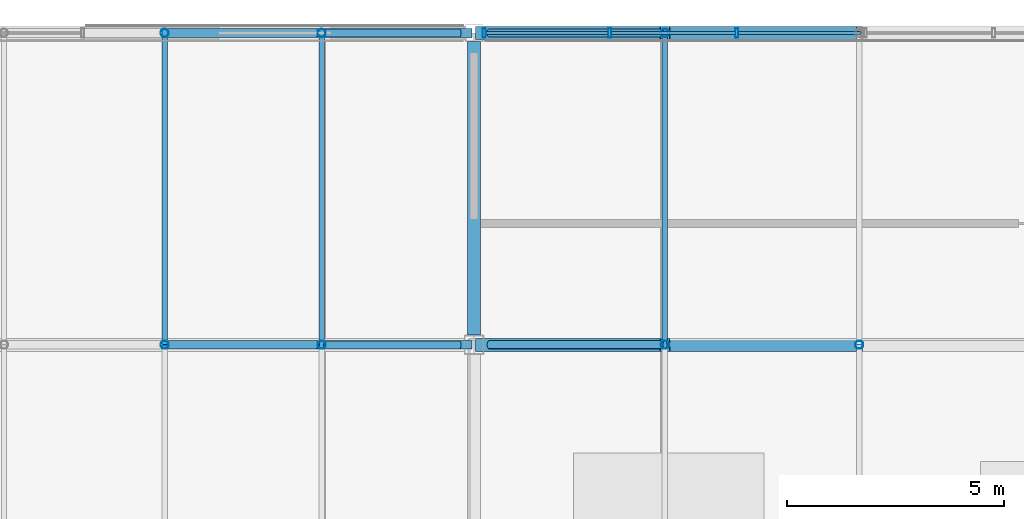
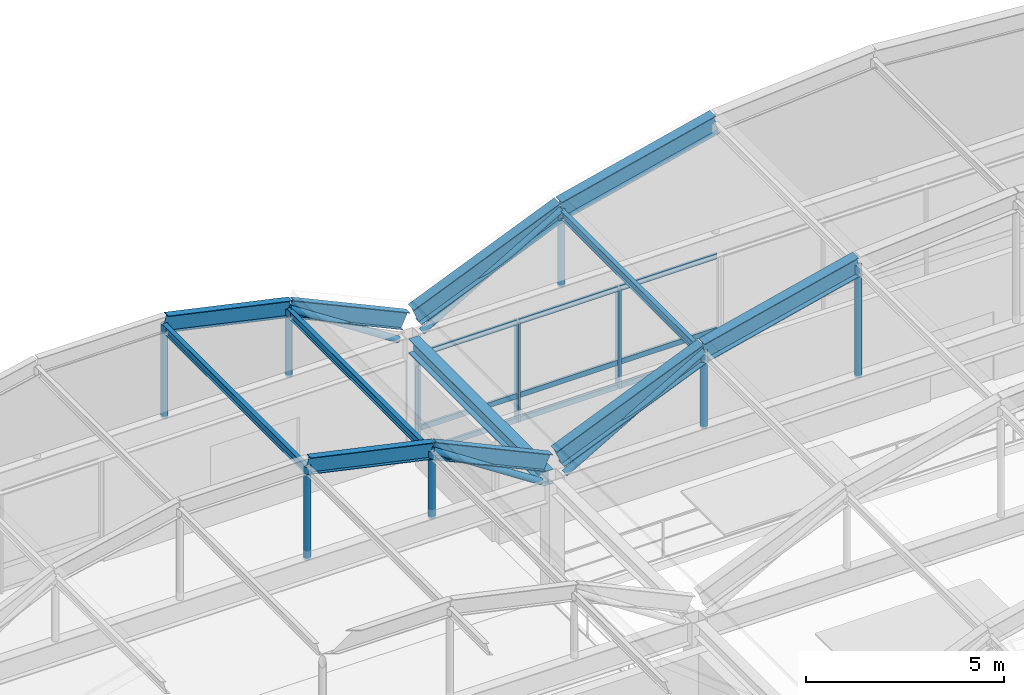
# One storey, part 61 of 106: 34 members, 1 beam, 1 element without a shape of its own.
"""IFC4 building model written with IfcOpenShell, lengths in metres."""

import ifcopenshell
import ifcopenshell.guid

model = None  # the IFC model being written
_history = None  # IfcOwnerHistory: only IFC2X3 demands one
_inside = {}  # id of a spatial element -> (the spatial element, [elements in it])
_under = {}  # id of a project, library or spatial element -> (it, [spatial elements below it])
_declared = {}  # id of a project -> (the project, [libraries it declares])
_typed = {}  # id of a type object -> (the type object, [elements of that type])
_made_of = {}  # id of a material, layer set ... -> (it, [elements and type objects made of it])


def new_model(schema):
    """Start an empty IFC model of exactly this schema.

    Asked for "IFC4X3", IfcOpenShell would pick the latest addendum, in which some entities
    have other attributes; the version numbers below select the first issue.
    IFC2X3 requires an IfcOwnerHistory on every rooted entity: one is made here for all.
    """
    global model, _history
    if schema == "IFC4X3":
        model = ifcopenshell.file(schema_version=(4, 3, 0, 0))
    else:
        model = ifcopenshell.file(schema=schema)
    _inside.clear()
    _under.clear()
    _declared.clear()
    _typed.clear()
    _made_of.clear()
    _history = None
    if model.schema == "IFC2X3":
        org = make("IfcOrganization", Name="unknown")
        user = make(
            "IfcPersonAndOrganization",
            ThePerson=make("IfcPerson", FamilyName="unknown"),
            TheOrganization=org,
        )
        app = make(
            "IfcApplication",
            ApplicationDeveloper=org,
            Version="unknown",
            ApplicationFullName="unknown",
            ApplicationIdentifier="unknown",
        )
        _history = make(
            "IfcOwnerHistory",
            OwningUser=user,
            OwningApplication=app,
            ChangeAction="ADDED",
            CreationDate=0,
        )
    return model


def make(cls, **values):
    """One entity of the class cls with the attributes given. An attribute that is None is left unset."""
    return model.create_entity(
        cls, **{name: value for name, value in values.items() if value is not None}
    )


def rooted(cls, **values):
    """An entity with a GlobalId (a new one), such as an element, a storey or a relation."""
    return make(cls, GlobalId=ifcopenshell.guid.new(), OwnerHistory=_history, **values)


def si_unit(unit_type, name, prefix=None):
    """IfcSIUnit, for example si_unit("LENGTHUNIT", "METRE", prefix="MILLI")."""
    return make("IfcSIUnit", UnitType=unit_type, Prefix=prefix, Name=name)


def assignment(units):
    """IfcUnitAssignment: the units of a project."""
    return None if units is None else make("IfcUnitAssignment", Units=units)


def point(xyz):
    """IfcCartesianPoint."""
    return None if xyz is None else make("IfcCartesianPoint", Coordinates=xyz)


def direction(xyz):
    """IfcDirection."""
    return None if xyz is None else make("IfcDirection", DirectionRatios=xyz)


def frame(location, z_axis=None, x_axis=None):
    """IfcAxis2Placement3D, a coordinate frame: its origin and axes. An axis left out is left unset."""
    return make(
        "IfcAxis2Placement3D",
        Location=point(location),
        Axis=direction(z_axis),
        RefDirection=direction(x_axis),
    )


def frame_2d(location, x_axis=None):
    """IfcAxis2Placement2D, a coordinate frame in the plane: its origin and x axis."""
    return make(
        "IfcAxis2Placement2D", Location=point(location), RefDirection=direction(x_axis)
    )


def origin():
    """The frame at (0, 0, 0) with its axes left unset."""
    return frame((0.0, 0.0, 0.0))


def origin_2d():
    """The frame at (0, 0) in the plane with its x axis left unset."""
    return frame_2d((0.0, 0.0))


def place(relative_to, where):
    """IfcLocalPlacement: puts the frame where relative to a parent placement (None: the world)."""
    return make(
        "IfcLocalPlacement", PlacementRelTo=relative_to, RelativePlacement=where
    )


def context(
    kind, dimensions, precision=None, world=None, true_north=None, identifier=None
):
    """IfcGeometricRepresentationContext, for example the 3D "Model" context."""
    return make(
        "IfcGeometricRepresentationContext",
        ContextIdentifier=identifier,
        ContextType=kind,
        CoordinateSpaceDimension=dimensions,
        Precision=precision,
        WorldCoordinateSystem=world,
        TrueNorth=true_north,
    )


def subcontext(parent, identifier, kind, view, scale=None):
    """IfcGeometricRepresentationSubContext, for example "Body" below "Model"."""
    return make(
        "IfcGeometricRepresentationSubContext",
        ContextIdentifier=identifier,
        ContextType=kind,
        ParentContext=parent,
        TargetScale=scale,
        TargetView=view,
    )


def project(units=None, contexts=None):
    """IfcProject with its units and contexts."""
    return rooted(
        "IfcProject",
        Name="project",
        RepresentationContexts=contexts,
        UnitsInContext=assignment(units),
    )


def spatial(cls, under=None, at=None, **own):
    """A site, building, storey or space (cls), placed at a placement, below another one or the project."""
    s = rooted(cls, ObjectPlacement=at, **own)
    if under is not None:
        _under.setdefault(under.id(), (under, []))[1].append(s)
    return s


def profile(cls, at=None, kind="AREA", **sizes):
    """A parametric profile (cls). Its sizes go by their IFC names, for example OverallWidth=200.0."""
    return make(cls, ProfileType=kind, Position=at, **sizes)


def hollow_rectangle(**sizes):
    """IfcRectangleHollowProfileDef."""
    return profile("IfcRectangleHollowProfileDef", **sizes)


def hollow_circle(**sizes):
    """IfcCircleHollowProfileDef."""
    return profile("IfcCircleHollowProfileDef", **sizes)


def i_section(**sizes):
    """IfcIShapeProfileDef."""
    return profile("IfcIShapeProfileDef", **sizes)


def extrude(swept, where, along, depth):
    """IfcExtrudedAreaSolid: the profile swept, set in the frame where, extruded along a direction by depth."""
    return make(
        "IfcExtrudedAreaSolid",
        SweptArea=swept,
        Position=where,
        ExtrudedDirection=direction(along),
        Depth=depth,
    )


def shape(context_of_items, identifier, shape_type, items):
    """IfcShapeRepresentation: the items that make up one representation, for example the "Body"."""
    return make(
        "IfcShapeRepresentation",
        ContextOfItems=context_of_items,
        RepresentationIdentifier=identifier,
        RepresentationType=shape_type,
        Items=items,
    )


def material(Name=None, Category=None):
    """IfcMaterial."""
    return make("IfcMaterial", Name=Name, Category=Category)


def material_profile(
    of_material, cross_section, Name=None, Category=None, Priority=None
):
    """IfcMaterialProfile: a cross section and its material."""
    return make(
        "IfcMaterialProfile",
        Name=Name,
        Material=of_material,
        Profile=cross_section,
        Priority=Priority,
        Category=Category,
    )


def profile_set(profiles, Name=None, composite=None):
    """IfcMaterialProfileSet."""
    return make(
        "IfcMaterialProfileSet",
        Name=Name,
        MaterialProfiles=profiles,
        CompositeProfile=composite,
    )


def made_of(thing, what):
    """Note that an element or type object is made of a material, layer set ...; save() writes the relation."""
    if what is not None:
        _made_of.setdefault(what.id(), (what, []))[1].append(thing)
    return thing


def type_object(cls, material=None, **own):
    """A type object (cls), such as IfcWallType, which elements share."""
    return made_of(rooted(cls, **own), material)


def element(
    cls,
    number,
    at=None,
    inside=None,
    cuts=None,
    type_object=None,
    material=None,
    context=None,
    identifier="Body",
    shape_type=None,
    held_by="IfcProductDefinitionShape",
    body=None,
    shapes=None,
    **own,
):
    """One element of the class cls, such as IfcWall. Its Tag is "e" and its number.

    at: its placement. inside: the storey or other place that contains it. cuts: it is an
    opening in that element (IfcRelVoidsElement). A single representation is given by context,
    identifier, shape_type and body (its items); several are given by shapes. held_by: the class
    of the entity that holds the representations. save() writes the other relations.
    """
    e = rooted(cls, Tag="e%d" % number, ObjectPlacement=at, **own)
    if body is not None:
        shapes = [shape(context, identifier, shape_type, body)]
    if shapes is not None:
        e.Representation = make(held_by, Representations=shapes)
    if inside is not None:
        _inside.setdefault(inside.id(), (inside, []))[1].append(e)
    if cuts is not None:
        rooted(
            "IfcRelVoidsElement", RelatingBuildingElement=cuts, RelatedOpeningElement=e
        )
    if type_object is not None:
        _typed.setdefault(type_object.id(), (type_object, []))[1].append(e)
    return made_of(e, material)


def aggregate(whole, parts):
    """IfcRelAggregates: a whole, such as a stair, and the parts it consists of."""
    return rooted("IfcRelAggregates", RelatingObject=whole, RelatedObjects=parts)


def save(model, path):
    """Write the relations noted so far, then the file.

    IfcRelAggregates (storeys below a building ...), IfcRelContainedInSpatialStructure (elements
    in a storey), IfcRelDefinesByType, IfcRelAssociatesMaterial and IfcRelDeclares: one each for
    every whole, place, type object, material and project.
    """
    for whole, parts in _under.values():
        aggregate(whole, parts)
    for where, things in _inside.values():
        rooted(
            "IfcRelContainedInSpatialStructure",
            RelatedElements=things,
            RelatingStructure=where,
        )
    for kind, things in _typed.values():
        rooted("IfcRelDefinesByType", RelatedObjects=things, RelatingType=kind)
    for what, things in _made_of.values():
        rooted("IfcRelAssociatesMaterial", RelatedObjects=things, RelatingMaterial=what)
    for by, libraries in _declared.values():
        rooted("IfcRelDeclares", RelatingContext=by, RelatedDefinitions=libraries)
    model.write(path)


model = new_model("IFC4")

# Units and contexts
model_context = context("Model", 3, precision=1e-05, world=origin(), true_north=direction((0.0, 1.0)))
body_context = subcontext(model_context, "Body", "Model", "MODEL_VIEW")
ifc_project = project(units=[si_unit("LENGTHUNIT", "METRE"), si_unit("AREAUNIT", "SQUARE_METRE"), si_unit("VOLUMEUNIT", "CUBIC_METRE"), si_unit("PLANEANGLEUNIT", "RADIAN"), si_unit("MASSUNIT", "GRAM", prefix="KILO")], contexts=[model_context])

# Site, building, storey
site_placement = place(None, origin())
site = spatial("IfcSite", under=ifc_project, at=site_placement, CompositionType="ELEMENT")
building_placement = place(site_placement, origin())
building = spatial("IfcBuilding", under=site, at=building_placement, Name="Kazanami Central Library", CompositionType="ELEMENT")
storey_placement = place(building_placement, frame((0.0, 0.0, 12.800048828125)))
storey = spatial("IfcBuildingStorey", under=building, at=storey_placement, Name="L04", CompositionType="ELEMENT", Elevation=12.800048828125)

# Beam
ifc_material_1 = material(Name="Steel SN490B (325 MPa)", Category="steel")
ifc_material_profile_1 = material_profile(ifc_material_1, i_section(OverallWidth=0.300048828125, OverallDepth=0.43994140625, WebThickness=0.010986328125, FlangeThickness=0.01806640625, at=origin_2d()), Name="H-440x300x11x18")
ifc_profile_set_1 = profile_set([ifc_material_profile_1], Name="Steel SN490B (325 MPa)")
beam_type = type_object("IfcBeamType", Name="BM-G-Y4", PredefinedType="BEAM", material=ifc_profile_set_1)
beam_placement = place(storey_placement, frame((63.0, 86.623046875, 3.56005859375), z_axis=(0.0, 1.0, 0.0), x_axis=(-1.0, 0.0, 0.0)))
element("IfcBeam", 1, at=beam_placement, inside=storey, type_object=beam_type, Name="Girder G-Y4 L04 8/N-O", PredefinedType="BEAM", context=body_context, shape_type="SweptSolid", body=[
    extrude(i_section(OverallWidth=0.300048828125, OverallDepth=0.43994140625, WebThickness=0.010986328125, FlangeThickness=0.01806640625, at=origin_2d()), origin(), (0.0, 0.0, 1.0), 6.779052734375),
])

# Members
ifc_material_profile_2 = material_profile(ifc_material_1, i_section(OverallWidth=0.300048828125, OverallDepth=0.587890625, WebThickness=0.011962890625, FlangeThickness=0.02001953125, at=origin_2d()), Name="H-588x300x12x20")
ifc_profile_set_2 = profile_set([ifc_material_profile_2], Name="Steel SN490B (325 MPa)")
member_type_1 = type_object("IfcMemberType", Name="MEM-AR-01", PredefinedType="CHORD", material=ifc_profile_set_2)
for number, where, z_axis, x_axis, name in (
    (2, (63.14990234375, 86.39990234375, 4.299072265625), (0.921854112797, 0.0, 0.387537088185), (0.0, 1.0, 0.0), "Barrel Vault Arch Rib AR-01 VAULT-MAIN Grid N Seg 1"),
    (3, (67.407958984375, 86.39990234375, 6.089111328125), (0.971622638672, 0.0, 0.236536356656), (0.0, 1.0, 0.0), "Barrel Vault Arch Rib AR-01 VAULT-MAIN Grid N Seg 2"),
    (4, (63.14990234375, 93.60009765625, 4.299072265625), (0.921854112797, 0.0, 0.387537088185), (0.0, 1.0, 0.0), "Barrel Vault Arch Rib AR-01 VAULT-MAIN Grid O Seg 1"),
    (5, (67.407958984375, 93.60009765625, 6.089111328125), (0.971622638672, 0.0, 0.236536356656), (0.0, 1.0, 0.0), "Barrel Vault Arch Rib AR-01 VAULT-MAIN Grid O Seg 2"),
):
    element("IfcMember", number, at=place(storey_placement, frame(where, z_axis=z_axis, x_axis=x_axis)), inside=storey, type_object=member_type_1, Name=name, PredefinedType="CHORD", context=body_context, shape_type="SweptSolid", body=[
        extrude(i_section(OverallWidth=0.300048828125, OverallDepth=0.587890625, WebThickness=0.011962890625, FlangeThickness=0.02001953125, at=origin_2d()), origin(), (0.0, 0.0, 1.0), 4.618896484375),
    ])
ifc_material_profile_3 = material_profile(ifc_material_1, i_section(OverallWidth=0.199951171875, OverallDepth=0.5, WebThickness=0.010009765625, FlangeThickness=0.01611328125, at=origin_2d()), Name="H-500x200x10x16")
ifc_profile_set_3 = profile_set([ifc_material_profile_3], Name="Steel SN490B (325 MPa)")
member_type_2 = type_object("IfcMemberType", Name="MEM-AR-02", PredefinedType="CHORD", material=ifc_profile_set_3)
for number, where, z_axis, x_axis, name in (
    (6, (55.85546875, 86.39990234375, 6.604736328125), (0.976745687277, 0.0, -0.214401171606), (0.0, 1.0, 0.0), "Barrel Vault Arch Rib AR-02 VAULT-WEST Grid N Seg 4"),
    (7, (59.480224609375, 86.39990234375, 5.80908203125), (0.908074880538, 0.0, -0.41880784536), (0.0, 1.0, 0.0), "Barrel Vault Arch Rib AR-02 VAULT-WEST Grid N Seg 5"),
    (8, (55.85546875, 93.60009765625, 6.604736328125), (0.976745687277, 0.0, -0.214401171606), (0.0, 1.0, 0.0), "Barrel Vault Arch Rib AR-02 VAULT-WEST Grid O Seg 4"),
    (9, (59.480224609375, 93.60009765625, 5.80908203125), (0.908074880538, 0.0, -0.41880784536), (0.0, 1.0, 0.0), "Barrel Vault Arch Rib AR-02 VAULT-WEST Grid O Seg 5"),
):
    element("IfcMember", number, at=place(storey_placement, frame(where, z_axis=z_axis, x_axis=x_axis)), inside=storey, type_object=member_type_2, Name=name, PredefinedType="CHORD", context=body_context, shape_type="SweptSolid", body=[
        extrude(i_section(OverallWidth=0.199951171875, OverallDepth=0.5, WebThickness=0.010009765625, FlangeThickness=0.01611328125, at=origin_2d()), origin(), (0.0, 0.0, 1.0), 3.7109375),
    ])

# Curtain wall, members
ifc_material_2 = material(Name="Acid-Etched Low-E Laminated Glass", Category="glass")
curtain_wall_type = type_object("IfcCurtainWallType", Name="CW-8800x3080-M275", PredefinedType="USERDEFINED", material=ifc_material_2)
curtain_wall_placement = place(storey_placement, origin())
curtain_wall = element("IfcCurtainWall", 10, at=curtain_wall_placement, inside=storey, type_object=curtain_wall_type, Name="Unitised Curtain Wall CW-42 L04 N-O-07", ObjectType="UNITISED CURTAIN WALL", PredefinedType="USERDEFINED")
ifc_material_3 = material(Name="Anodised Aluminium A6063-T5", Category="aluminium")
ifc_material_profile_4 = material_profile(ifc_material_3, hollow_rectangle(XDim=0.070068359375, YDim=0.2099609375, WallThickness=0.0048828125, at=origin_2d()), Name="ALU-MULL-70x210x5")
ifc_profile_set_4 = profile_set([ifc_material_profile_4], Name="Anodised Aluminium A6063-T5")
member_type_3 = type_object("IfcMemberType", Name="MEM-CW-M1", PredefinedType="MULLION", material=ifc_profile_set_4)
member_1_placement = place(storey_placement, frame((69.066650390625, 93.60009765625, 0.0), z_axis=(0.0, 0.0, 1.0), x_axis=(-1.0, 0.0, 0.0)))
member_1 = element("IfcMember", 11, at=member_1_placement, type_object=member_type_3, Name="CW-42 mullion 2", PredefinedType="MULLION", context=body_context, shape_type="SweptSolid", body=[
    extrude(hollow_rectangle(XDim=0.070068359375, YDim=0.2099609375, WallThickness=0.0048828125, at=origin_2d()), origin(), (0.0, 0.0, 1.0), 3.079833984375),
])
member_2_placement = place(storey_placement, frame((66.13330078125, 93.60009765625, 0.0), z_axis=(0.0, 0.0, 1.0), x_axis=(-1.0, 0.0, 0.0)))
member_2 = element("IfcMember", 12, at=member_2_placement, type_object=member_type_3, Name="CW-42 mullion 3", PredefinedType="MULLION", context=body_context, shape_type="SweptSolid", body=[
    extrude(hollow_rectangle(XDim=0.070068359375, YDim=0.2099609375, WallThickness=0.0048828125, at=origin_2d()), origin(), (0.0, 0.0, 1.0), 3.079833984375),
])
member_3_placement = place(storey_placement, frame((63.235107421875, 93.60009765625, 0.0), z_axis=(0.0, 0.0, 1.0), x_axis=(-1.0, 0.0, 0.0)))
member_3 = element("IfcMember", 13, at=member_3_placement, type_object=member_type_3, Name="CW-42 mullion 4", PredefinedType="MULLION", context=body_context, shape_type="SweptSolid", body=[
    extrude(hollow_rectangle(XDim=0.070068359375, YDim=0.2099609375, WallThickness=0.0048828125, at=origin_2d()), origin(), (0.0, 0.0, 1.0), 3.079833984375),
])
ifc_material_profile_5 = material_profile(ifc_material_3, hollow_rectangle(XDim=0.070068359375, YDim=0.159912109375, WallThickness=0.00390625, at=origin_2d()), Name="ALU-TRAN-70x160x4")
ifc_profile_set_5 = profile_set([ifc_material_profile_5], Name="Anodised Aluminium A6063-T5")
member_type_4 = type_object("IfcMemberType", Name="MEM-CW-T1", PredefinedType="USERDEFINED", material=ifc_profile_set_5)
member_4_placement = place(storey_placement, frame((71.929931640625, 93.60009765625, 0.034912109375), z_axis=(-1.0, 0.0, 0.0), x_axis=(0.0, -1.0, 0.0)))
member_4 = element("IfcMember", 14, at=member_4_placement, type_object=member_type_4, Name="CW-42 transom 1.1", ObjectType="TRANSOM", PredefinedType="USERDEFINED", context=body_context, shape_type="SweptSolid", body=[
    extrude(hollow_rectangle(XDim=0.070068359375, YDim=0.159912109375, WallThickness=0.00390625, at=origin_2d()), origin(), (0.0, 0.0, 1.0), 2.828369140625),
])
member_5_placement = place(storey_placement, frame((71.929931640625, 93.60009765625, 0.780029296875), z_axis=(-1.0, 0.0, 0.0), x_axis=(0.0, -1.0, 0.0)))
member_5 = element("IfcMember", 15, at=member_5_placement, type_object=member_type_4, Name="CW-42 transom 1.2", ObjectType="TRANSOM", PredefinedType="USERDEFINED", context=body_context, shape_type="SweptSolid", body=[
    extrude(hollow_rectangle(XDim=0.070068359375, YDim=0.159912109375, WallThickness=0.00390625, at=origin_2d()), origin(), (0.0, 0.0, 1.0), 2.828369140625),
])
member_6_placement = place(storey_placement, frame((71.929931640625, 93.60009765625, 3.044921875), z_axis=(-1.0, 0.0, 0.0), x_axis=(0.0, -1.0, 0.0)))
member_6 = element("IfcMember", 16, at=member_6_placement, type_object=member_type_4, Name="CW-42 transom 1.3", ObjectType="TRANSOM", PredefinedType="USERDEFINED", context=body_context, shape_type="SweptSolid", body=[
    extrude(hollow_rectangle(XDim=0.070068359375, YDim=0.159912109375, WallThickness=0.00390625, at=origin_2d()), origin(), (0.0, 0.0, 1.0), 2.828369140625),
])
member_7_placement = place(storey_placement, frame((69.03173828125, 93.60009765625, 0.034912109375), z_axis=(-1.0, 0.0, 0.0), x_axis=(0.0, -1.0, 0.0)))
member_7 = element("IfcMember", 17, at=member_7_placement, type_object=member_type_4, Name="CW-42 transom 2.1", ObjectType="TRANSOM", PredefinedType="USERDEFINED", context=body_context, shape_type="SweptSolid", body=[
    extrude(hollow_rectangle(XDim=0.070068359375, YDim=0.159912109375, WallThickness=0.00390625, at=origin_2d()), origin(), (0.0, 0.0, 1.0), 2.863525390625),
])
member_8_placement = place(storey_placement, frame((69.03173828125, 93.60009765625, 0.780029296875), z_axis=(-1.0, 0.0, 0.0), x_axis=(0.0, -1.0, 0.0)))
member_8 = element("IfcMember", 18, at=member_8_placement, type_object=member_type_4, Name="CW-42 transom 2.2", ObjectType="TRANSOM", PredefinedType="USERDEFINED", context=body_context, shape_type="SweptSolid", body=[
    extrude(hollow_rectangle(XDim=0.070068359375, YDim=0.159912109375, WallThickness=0.00390625, at=origin_2d()), origin(), (0.0, 0.0, 1.0), 2.863525390625),
])
member_9_placement = place(storey_placement, frame((69.03173828125, 93.60009765625, 3.044921875), z_axis=(-1.0, 0.0, 0.0), x_axis=(0.0, -1.0, 0.0)))
member_9 = element("IfcMember", 19, at=member_9_placement, type_object=member_type_4, Name="CW-42 transom 2.3", ObjectType="TRANSOM", PredefinedType="USERDEFINED", context=body_context, shape_type="SweptSolid", body=[
    extrude(hollow_rectangle(XDim=0.070068359375, YDim=0.159912109375, WallThickness=0.00390625, at=origin_2d()), origin(), (0.0, 0.0, 1.0), 2.863525390625),
])
member_10_placement = place(storey_placement, frame((66.098388671875, 93.60009765625, 0.034912109375), z_axis=(-1.0, 0.0, 0.0), x_axis=(0.0, -1.0, 0.0)))
member_10 = element("IfcMember", 20, at=member_10_placement, type_object=member_type_4, Name="CW-42 transom 3.1", ObjectType="TRANSOM", PredefinedType="USERDEFINED", context=body_context, shape_type="SweptSolid", body=[
    extrude(hollow_rectangle(XDim=0.070068359375, YDim=0.159912109375, WallThickness=0.00390625, at=origin_2d()), origin(), (0.0, 0.0, 1.0), 2.828369140625),
])
member_11_placement = place(storey_placement, frame((66.098388671875, 93.60009765625, 0.780029296875), z_axis=(-1.0, 0.0, 0.0), x_axis=(0.0, -1.0, 0.0)))
member_11 = element("IfcMember", 21, at=member_11_placement, type_object=member_type_4, Name="CW-42 transom 3.2", ObjectType="TRANSOM", PredefinedType="USERDEFINED", context=body_context, shape_type="SweptSolid", body=[
    extrude(hollow_rectangle(XDim=0.070068359375, YDim=0.159912109375, WallThickness=0.00390625, at=origin_2d()), origin(), (0.0, 0.0, 1.0), 2.828369140625),
])
member_12_placement = place(storey_placement, frame((66.098388671875, 93.60009765625, 3.044921875), z_axis=(-1.0, 0.0, 0.0), x_axis=(0.0, -1.0, 0.0)))
member_12 = element("IfcMember", 22, at=member_12_placement, type_object=member_type_4, Name="CW-42 transom 3.3", ObjectType="TRANSOM", PredefinedType="USERDEFINED", context=body_context, shape_type="SweptSolid", body=[
    extrude(hollow_rectangle(XDim=0.070068359375, YDim=0.159912109375, WallThickness=0.00390625, at=origin_2d()), origin(), (0.0, 0.0, 1.0), 2.828369140625),
])
aggregate(curtain_wall, [member_1, member_2, member_3, member_4, member_5, member_6, member_7, member_8, member_9, member_10, member_11, member_12])

# Members
ifc_material_4 = material(Name="Steel SN400B (235 MPa)", Category="steel")
ifc_material_profile_6 = material_profile(ifc_material_4, i_section(OverallWidth=0.125, OverallDepth=0.25, WebThickness=0.006103515625, FlangeThickness=0.009033203125, at=origin_2d()), Name="H-250x125x6x9")
ifc_profile_set_6 = profile_set([ifc_material_profile_6], Name="Steel SN400B (235 MPa)")
member_type_5 = type_object("IfcMemberType", Name="MEM-PUR-250", PredefinedType="PURLIN", material=ifc_profile_set_6)
for number, where, z_axis, x_axis, name in (
    (23, (55.85546875, 86.405029296875, 6.464599609375), (0.0, 1.0, 0.0), (-1.0, 0.0, 0.0), "Barrel Vault Longitudinal Purlin VAULT-WEST Knuckle 3.4"),
    (24, (59.480224609375, 86.405029296875, 5.669189453125), (0.0, 1.0, 0.0), (-1.0, 0.0, 0.0), "Barrel Vault Longitudinal Purlin VAULT-WEST Knuckle 4.4"),
    (25, (67.407958984375, 86.405029296875, 5.94921875), (0.0, 1.0, 0.0), (-1.0, 0.0, 0.0), "Barrel Vault Longitudinal Purlin VAULT-MAIN Knuckle 1.4"),
):
    element("IfcMember", number, at=place(storey_placement, frame(where, z_axis=z_axis, x_axis=x_axis)), inside=storey, type_object=member_type_5, Name=name, PredefinedType="PURLIN", context=body_context, shape_type="SweptSolid", body=[
        extrude(i_section(OverallWidth=0.125, OverallDepth=0.25, WebThickness=0.006103515625, FlangeThickness=0.009033203125, at=origin_2d()), origin(), (0.0, 0.0, 1.0), 7.18994140625),
    ])
ifc_material_5 = material(Name="Steel STK490 (315 MPa)", Category="steel")
ifc_material_profile_7 = material_profile(ifc_material_5, hollow_circle(Radius=0.095458984375, WallThickness=0.007080078125, at=origin_2d()), Name="CHS-190.7x7.0")
ifc_profile_set_7 = profile_set([ifc_material_profile_7], Name="Steel STK490 (315 MPa)")
member_type_6 = type_object("IfcMemberType", Name="MEM-VST-190", PredefinedType="STRUT", material=ifc_profile_set_7)
member_13_placement = place(storey_placement, frame((55.85546875, 86.39990234375, 3.71484375), z_axis=(0.0, 0.0, 1.0), x_axis=(1.0, 0.0, 0.0)))
element("IfcMember", 26, at=member_13_placement, inside=storey, type_object=member_type_6, Name="Barrel Vault Tied-Arch Web Strut VAULT-WEST Grid N Knuckle 3", PredefinedType="STRUT", context=body_context, shape_type="SweptSolid", body=[
    extrude(hollow_circle(Radius=0.095458984375, WallThickness=0.007080078125, at=origin_2d()), origin(), (0.0, 0.0, 1.0), 2.869873046875),
])
member_14_placement = place(storey_placement, frame((59.480224609375, 86.39990234375, 3.71484375), z_axis=(0.0, 0.0, 1.0), x_axis=(1.0, 0.0, 0.0)))
element("IfcMember", 27, at=member_14_placement, inside=storey, type_object=member_type_6, Name="Barrel Vault Tied-Arch Web Strut VAULT-WEST Grid N Knuckle 4", PredefinedType="STRUT", context=body_context, shape_type="SweptSolid", body=[
    extrude(hollow_circle(Radius=0.095458984375, WallThickness=0.007080078125, at=origin_2d()), origin(), (0.0, 0.0, 1.0), 2.07421875),
])
member_15_placement = place(storey_placement, frame((62.64990234375, 86.39990234375, 3.71484375), z_axis=(-0.836759504137, 0.0, 0.547570572837), x_axis=(0.0, -1.0, 0.0)))
element("IfcMember", 28, at=member_15_placement, inside=storey, type_object=member_type_6, Name="Barrel Vault Tied-Arch Diagonal VAULT-WEST Grid N (R)", PredefinedType="BRACE", context=body_context, shape_type="SweptSolid", body=[
    extrude(hollow_circle(Radius=0.095458984375, WallThickness=0.007080078125, at=origin_2d()), origin(), (0.0, 0.0, 1.0), 3.7880859375),
])
member_16_placement = place(storey_placement, frame((55.85546875, 93.60009765625, 3.71484375), z_axis=(0.0, 0.0, 1.0), x_axis=(1.0, 0.0, 0.0)))
element("IfcMember", 29, at=member_16_placement, inside=storey, type_object=member_type_6, Name="Barrel Vault Tied-Arch Web Strut VAULT-WEST Grid O Knuckle 3", PredefinedType="STRUT", context=body_context, shape_type="SweptSolid", body=[
    extrude(hollow_circle(Radius=0.095458984375, WallThickness=0.007080078125, at=origin_2d()), origin(), (0.0, 0.0, 1.0), 2.869873046875),
])
member_17_placement = place(storey_placement, frame((59.480224609375, 93.60009765625, 3.71484375), z_axis=(0.0, 0.0, 1.0), x_axis=(1.0, 0.0, 0.0)))
element("IfcMember", 30, at=member_17_placement, inside=storey, type_object=member_type_6, Name="Barrel Vault Tied-Arch Web Strut VAULT-WEST Grid O Knuckle 4", PredefinedType="STRUT", context=body_context, shape_type="SweptSolid", body=[
    extrude(hollow_circle(Radius=0.095458984375, WallThickness=0.007080078125, at=origin_2d()), origin(), (0.0, 0.0, 1.0), 2.07421875),
])
member_18_placement = place(storey_placement, frame((62.64990234375, 93.60009765625, 3.71484375), z_axis=(-0.836759504137, 0.0, 0.547570572837), x_axis=(0.0, -1.0, 0.0)))
element("IfcMember", 31, at=member_18_placement, inside=storey, type_object=member_type_6, Name="Barrel Vault Tied-Arch Diagonal VAULT-WEST Grid O (R)", PredefinedType="BRACE", context=body_context, shape_type="SweptSolid", body=[
    extrude(hollow_circle(Radius=0.095458984375, WallThickness=0.007080078125, at=origin_2d()), origin(), (0.0, 0.0, 1.0), 3.7880859375),
])
member_19_placement = place(storey_placement, frame((67.407958984375, 86.39990234375, 3.71484375), z_axis=(0.0, 0.0, 1.0), x_axis=(1.0, 0.0, 0.0)))
element("IfcMember", 32, at=member_19_placement, inside=storey, type_object=member_type_6, Name="Barrel Vault Tied-Arch Web Strut VAULT-MAIN Grid N Knuckle 1", PredefinedType="STRUT", context=body_context, shape_type="SweptSolid", body=[
    extrude(hollow_circle(Radius=0.095458984375, WallThickness=0.007080078125, at=origin_2d()), origin(), (0.0, 0.0, 1.0), 2.354248046875),
])
member_20_placement = place(storey_placement, frame((71.895751953125, 86.39990234375, 3.71484375), z_axis=(0.0, 0.0, 1.0), x_axis=(1.0, 0.0, 0.0)))
element("IfcMember", 33, at=member_20_placement, inside=storey, type_object=member_type_6, Name="Barrel Vault Tied-Arch Web Strut VAULT-MAIN Grid N Knuckle 2", PredefinedType="STRUT", context=body_context, shape_type="SweptSolid", body=[
    extrude(hollow_circle(Radius=0.095458984375, WallThickness=0.007080078125, at=origin_2d()), origin(), (0.0, 0.0, 1.0), 3.44677734375),
])
member_21_placement = place(storey_placement, frame((63.35009765625, 86.39990234375, 3.71484375), z_axis=(0.864967490529, 0.0, 0.501827899114), x_axis=(0.0, 1.0, 0.0)))
element("IfcMember", 34, at=member_21_placement, inside=storey, type_object=member_type_6, Name="Barrel Vault Tied-Arch Diagonal VAULT-MAIN Grid N (L)", PredefinedType="BRACE", context=body_context, shape_type="SweptSolid", body=[
    extrude(hollow_circle(Radius=0.095458984375, WallThickness=0.007080078125, at=origin_2d()), origin(), (0.0, 0.0, 1.0), 4.69140625),
])
member_22_placement = place(storey_placement, frame((67.407958984375, 93.60009765625, 3.71484375), z_axis=(0.0, 0.0, 1.0), x_axis=(1.0, 0.0, 0.0)))
element("IfcMember", 35, at=member_22_placement, inside=storey, type_object=member_type_6, Name="Barrel Vault Tied-Arch Web Strut VAULT-MAIN Grid O Knuckle 1", PredefinedType="STRUT", context=body_context, shape_type="SweptSolid", body=[
    extrude(hollow_circle(Radius=0.095458984375, WallThickness=0.007080078125, at=origin_2d()), origin(), (0.0, 0.0, 1.0), 2.354248046875),
])
member_23_placement = place(storey_placement, frame((63.35009765625, 93.60009765625, 3.71484375), z_axis=(0.864967490529, 0.0, 0.501827899114), x_axis=(0.0, 1.0, 0.0)))
element("IfcMember", 36, at=member_23_placement, inside=storey, type_object=member_type_6, Name="Barrel Vault Tied-Arch Diagonal VAULT-MAIN Grid O (L)", PredefinedType="BRACE", context=body_context, shape_type="SweptSolid", body=[
    extrude(hollow_circle(Radius=0.095458984375, WallThickness=0.007080078125, at=origin_2d()), origin(), (0.0, 0.0, 1.0), 4.69140625),
])

save(model, "model.ifc")
